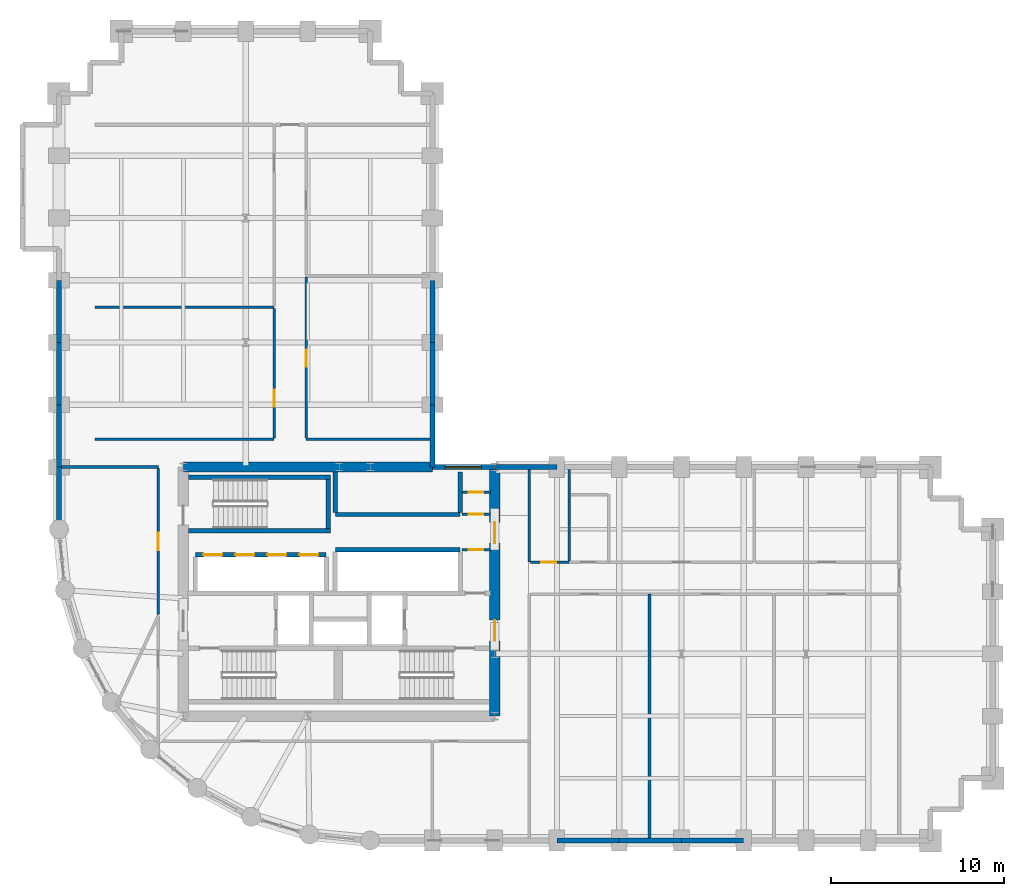
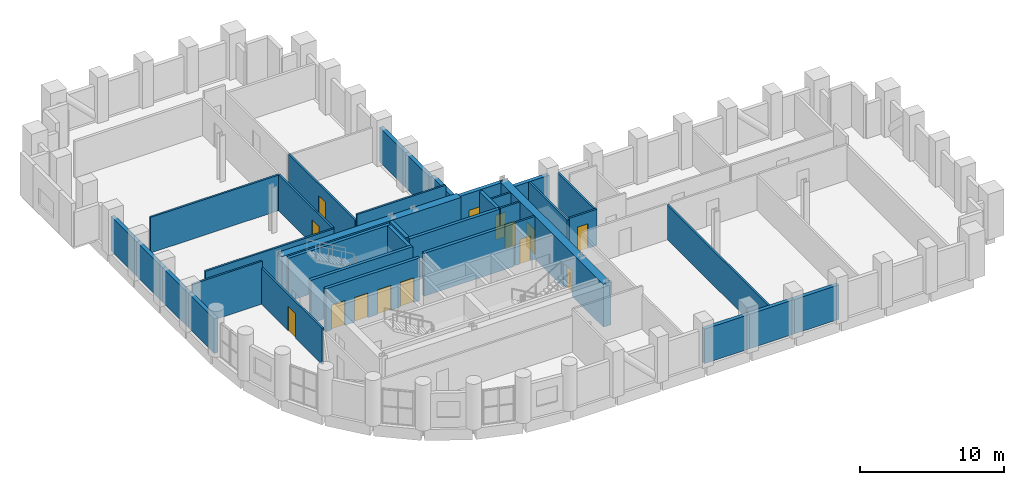
# One storey, part 10 of 13: 36 walls, 13 doors, 1 window, 14 openings.
"""IFC4 building model written with IfcOpenShell, lengths in metres."""

from ifc_helpers import new_model, si_unit, direction, frame, frame_2d, origin, place, context, subcontext, project, spatial, rectangle, extrude, material, layer, layer_set, type_object, element, fill, save


model = new_model("IFC4")

# Units and contexts
model_context = context("Model", 3, precision=1e-05, world=origin(), true_north=direction((0.0, 1.0)))
body_context = subcontext(model_context, "Body", "Model", "MODEL_VIEW")
ifc_project = project(units=[si_unit("LENGTHUNIT", "METRE"), si_unit("AREAUNIT", "SQUARE_METRE"), si_unit("VOLUMEUNIT", "CUBIC_METRE"), si_unit("PLANEANGLEUNIT", "RADIAN"), si_unit("MASSUNIT", "GRAM", prefix="KILO")], contexts=[model_context])

# Site, building, storey
site_placement = place(None, origin())
site = spatial("IfcSite", under=ifc_project, at=site_placement, CompositionType="ELEMENT")
building_placement = place(site_placement, origin())
building = spatial("IfcBuilding", under=site, at=building_placement, Name="Solnavia Interchange Tower", CompositionType="ELEMENT")
storey_placement = place(building_placement, frame((0.0, 0.0, 51.300048828125)))
storey = spatial("IfcBuildingStorey", under=building, at=storey_placement, Name="L12", CompositionType="ELEMENT", Elevation=51.300048828125)

# Walls
ifc_material_1 = material(Name="Concrete C40/50", Category="concrete")
ifc_layer_1 = layer(ifc_material_1, 0.300048828125)
ifc_layer_set_1 = layer_set([ifc_layer_1], Name="Concrete C40/50")
wall_type_1 = type_object("IfcWallType", Name="Wall-ExtSpandrel-300", PredefinedType="STANDARD", material=ifc_layer_set_1)
wall_1_placement = place(storey_placement, frame((39.60009765625, 3.60009765625, 0.0), z_axis=(0.0, 0.0, 1.0), x_axis=(-1.0, 0.0, 0.0)))
element("IfcWall", 1, at=wall_1_placement, inside=storey, type_object=wall_type_1, Name="EXW-L12-04 Exterior precast spandrel wall", PredefinedType="STANDARD", context=body_context, shape_type="SweptSolid", body=[
    extrude(rectangle(XDim=3.60009765625, YDim=0.300048828125, at=frame_2d((1.800048828125, 0.0))), origin(), (0.0, 0.0, 1.0), 2.929931640625),
])
wall_2_placement = place(storey_placement, frame((43.199951171875, 3.60009765625, 0.0), z_axis=(0.0, 0.0, 1.0), x_axis=(-1.0, 0.0, 0.0)))
element("IfcWall", 2, at=wall_2_placement, inside=storey, type_object=wall_type_1, Name="EXW-L12-05 Exterior precast spandrel wall", PredefinedType="STANDARD", context=body_context, shape_type="SweptSolid", body=[
    extrude(rectangle(XDim=3.599853515625, YDim=0.300048828125, at=frame_2d((1.7998046875, 0.0))), origin(), (0.0, 0.0, 1.0), 2.929931640625),
])
for number, where, z_axis, x_axis, name in (
    (3, (46.800048828125, 3.60009765625, 0.0), (0.0, 0.0, 1.0), (-1.0, 0.0, 0.0), "EXW-L12-06 Exterior precast spandrel wall"),
    (4, (32.39990234375, 25.199951171875, 0.0), (0.0, 0.0, 1.0), (1.0, 0.0, 0.0), "EXW-L12-28 Exterior precast spandrel wall"),
):
    element("IfcWall", number, at=place(storey_placement, frame(where, z_axis=z_axis, x_axis=x_axis)), inside=storey, type_object=wall_type_1, Name=name, PredefinedType="STANDARD", context=body_context, shape_type="SweptSolid", body=[
        extrude(rectangle(XDim=3.60009765625, YDim=0.300048828125, at=frame_2d((1.800048828125, 0.0))), origin(), (0.0, 0.0, 1.0), 2.929931640625),
    ])

# Wall, opening, window
wall_3_placement = place(storey_placement, frame((28.800048828125, 25.199951171875, 0.0), z_axis=(0.0, 0.0, 1.0), x_axis=(1.0, 0.0, 0.0)))
wall_3 = element("IfcWall", 5, at=wall_3_placement, inside=storey, type_object=wall_type_1, Name="EXW-L12-29 Exterior precast spandrel wall", PredefinedType="STANDARD", context=body_context, shape_type="SweptSolid", body=[
    extrude(rectangle(XDim=3.599853515625, YDim=0.300048828125, at=frame_2d((1.7998046875, 0.0))), origin(), (0.0, 0.0, 1.0), 3.635009765625),
])
opening_1_placement = place(wall_3_placement, frame((0.72802734375, 0.0, 0.85009765625)))
opening_1 = element("IfcOpeningElement", 6, at=opening_1_placement, cuts=wall_3, Name="Opening WIN-01", PredefinedType="OPENING", context=body_context, shape_type="SweptSolid", body=[
    extrude(rectangle(XDim=2.10009765625, YDim=1.35009765625, at=frame_2d((1.050048828125, 0.675048828125))), frame((0.0, 0.16015625, 0.0), z_axis=(0.0, -1.0, 0.0), x_axis=(1.0, 0.0, 0.0)), (0.0, 0.0, 1.0), 0.320068359375),
])
ifc_material_2 = material(Name="Thermal-Break Aluminium & Low-E Glass", Category="aluminium")
window_type = type_object("IfcWindowType", Name="Window-Ribbon-2100x1350", PartitioningType="SINGLE_PANEL", PredefinedType="WINDOW", material=ifc_material_2)
window_placement = place(opening_1_placement, origin())
window = element("IfcWindow", 7, at=window_placement, inside=storey, type_object=window_type, Name="WIN-L12-29 Facade ribbon window", OverallHeight=1.35009765625, OverallWidth=2.10009765625, PartitioningType="SINGLE_PANEL", PredefinedType="WINDOW", context=body_context, shape_type="SweptSolid", body=[
    extrude(rectangle(XDim=2.10009765625, YDim=1.35009765625, at=frame_2d((1.050048828125, 0.675048828125))), frame((0.0, 0.030029296875, 0.0), z_axis=(0.0, -1.0, 0.0), x_axis=(1.0, 0.0, 0.0)), (0.0, 0.0, 1.0), 0.06005859375),
])
fill(opening_1, window)

# Walls
wall_4_placement = place(storey_placement, frame((28.800048828125, 25.199951171875, 0.0), z_axis=(0.0, 0.0, 1.0), x_axis=(0.0, 1.0, 0.0)))
element("IfcWall", 8, at=wall_4_placement, inside=storey, type_object=wall_type_1, Name="EXW-L12-30 Exterior precast spandrel wall", PredefinedType="STANDARD", context=body_context, shape_type="SweptSolid", body=[
    extrude(rectangle(XDim=3.60009765625, YDim=0.300048828125, at=frame_2d((1.800048828125, 0.0))), origin(), (0.0, 0.0, 1.0), 3.139892578125),
])
wall_5_placement = place(storey_placement, frame((28.800048828125, 28.800048828125, 0.0), z_axis=(0.0, 0.0, 1.0), x_axis=(0.0, 1.0, 0.0)))
element("IfcWall", 9, at=wall_5_placement, inside=storey, type_object=wall_type_1, Name="EXW-L12-31 Exterior precast spandrel wall", PredefinedType="STANDARD", context=body_context, shape_type="SweptSolid", body=[
    extrude(rectangle(XDim=3.599853515625, YDim=0.300048828125, at=frame_2d((1.7998046875, 0.0))), origin(), (0.0, 0.0, 1.0), 2.929931640625),
])
for number, where, z_axis, x_axis, name in (
    (10, (28.800048828125, 32.39990234375, 0.0), (0.0, 0.0, 1.0), (0.0, 1.0, 0.0), "EXW-L12-32 Exterior precast spandrel wall"),
    (11, (7.199951171875, 32.39990234375, 0.0), (0.0, 0.0, 1.0), (0.0, 1.0, 0.0), "EXW-L12-55 Exterior precast spandrel wall"),
):
    element("IfcWall", number, at=place(storey_placement, frame(where, z_axis=z_axis, x_axis=x_axis)), inside=storey, type_object=wall_type_1, Name=name, PredefinedType="STANDARD", context=body_context, shape_type="SweptSolid", body=[
        extrude(rectangle(XDim=3.60009765625, YDim=0.300048828125, at=frame_2d((1.800048828125, 0.0))), origin(), (0.0, 0.0, 1.0), 2.929931640625),
    ])
wall_6_placement = place(storey_placement, frame((7.199951171875, 28.800048828125, 0.0), z_axis=(0.0, 0.0, 1.0), x_axis=(0.0, 1.0, 0.0)))
element("IfcWall", 12, at=wall_6_placement, inside=storey, type_object=wall_type_1, Name="EXW-L12-56 Exterior precast spandrel wall", PredefinedType="STANDARD", context=body_context, shape_type="SweptSolid", body=[
    extrude(rectangle(XDim=3.599853515625, YDim=0.300048828125, at=frame_2d((1.7998046875, 0.0))), origin(), (0.0, 0.0, 1.0), 2.929931640625),
])
wall_7_placement = place(storey_placement, frame((7.199951171875, 25.199951171875, 0.0), z_axis=(0.0, 0.0, 1.0), x_axis=(0.0, 1.0, 0.0)))
element("IfcWall", 13, at=wall_7_placement, inside=storey, type_object=wall_type_1, Name="EXW-L12-57 Exterior precast spandrel wall", PredefinedType="STANDARD", context=body_context, shape_type="SweptSolid", body=[
    extrude(rectangle(XDim=3.60009765625, YDim=0.300048828125, at=frame_2d((1.800048828125, 0.0))), origin(), (0.0, 0.0, 1.0), 2.929931640625),
])
wall_8_placement = place(storey_placement, frame((7.199951171875, 21.60009765625, 0.0), z_axis=(0.0, 0.0, 1.0), x_axis=(0.0, 1.0, 0.0)))
element("IfcWall", 14, at=wall_8_placement, inside=storey, type_object=wall_type_1, Name="EXW-L12-58 Exterior precast spandrel wall", PredefinedType="STANDARD", context=body_context, shape_type="SweptSolid", body=[
    extrude(rectangle(XDim=3.599853515625, YDim=0.300048828125, at=frame_2d((1.7998046875, 0.0))), origin(), (0.0, 0.0, 1.0), 2.929931640625),
])

# Wall, opening, door
ifc_material_3 = material(Name="Gypsum Plasterboard & Steel Stud", Category="steel")
ifc_layer_2 = layer(ifc_material_3, 0.14990234375)
ifc_layer_set_2 = layer_set([ifc_layer_2], Name="Gypsum Plasterboard & Steel Stud")
wall_type_2 = type_object("IfcWallType", Name="Wall-Partition-150", PredefinedType="PARTITIONING", material=ifc_layer_set_2)
wall_9_placement = place(storey_placement, frame((30.52001953125, 22.4599609375, 0.0), z_axis=(0.0, 0.0, 1.0), x_axis=(1.0, 0.0, 0.0)))
wall_9 = element("IfcWall", 15, at=wall_9_placement, inside=storey, type_object=wall_type_2, Name="CSW-L12-NE-S Core shaft wall", PredefinedType="PARTITIONING", context=body_context, shape_type="SweptSolid", body=[
    extrude(rectangle(XDim=1.6298828125, YDim=0.14990234375, at=frame_2d((0.81494140625, 0.0))), origin(), (0.0, 0.0, 1.0), 3.635009765625),
])
opening_2_placement = place(wall_9_placement, frame((0.3798828125, 0.0, 0.0)))
opening_2 = element("IfcOpeningElement", 16, at=opening_2_placement, cuts=wall_9, Name="Opening DR-10", PredefinedType="OPENING", context=body_context, shape_type="SweptSolid", body=[
    extrude(rectangle(XDim=0.85009765625, YDim=2.10009765625, at=frame_2d((0.425048828125, 1.050048828125))), frame((0.0, 0.0849609375, 0.0), z_axis=(0.0, -1.0, 0.0), x_axis=(1.0, 0.0, 0.0)), (0.0, 0.0, 1.0), 0.169921875),
])
ifc_material_4 = material(Name="Moisture-Resistant Timber Door", Category="wood")
door_type_1 = type_object("IfcDoorType", Name="Door-Bathroom-850x2100", OperationType="SINGLE_SWING_RIGHT", PredefinedType="DOOR", material=ifc_material_4)
door_1_placement = place(opening_2_placement, origin())
door_1 = element("IfcDoor", 17, at=door_1_placement, inside=storey, type_object=door_type_1, Name="DR-L12-CNE1 Core fire door", OperationType="SINGLE_SWING_RIGHT", OverallHeight=2.10009765625, OverallWidth=0.85009765625, PredefinedType="DOOR", context=body_context, shape_type="SweptSolid", body=[
    extrude(rectangle(XDim=0.85009765625, YDim=2.10009765625, at=frame_2d((0.425048828125, 1.050048828125))), frame((0.0, 0.02490234375, 0.0), z_axis=(0.0, -1.0, 0.0), x_axis=(1.0, 0.0, 0.0)), (0.0, 0.0, 1.0), 0.050048828125),
])
fill(opening_2, door_1)

wall_10_placement = place(storey_placement, frame((30.52001953125, 23.75, 0.0), z_axis=(0.0, 0.0, 1.0), x_axis=(1.0, 0.0, 0.0)))
wall_10 = element("IfcWall", 18, at=wall_10_placement, inside=storey, type_object=wall_type_2, Name="CSW-L12-NE-M Core shaft wall", PredefinedType="PARTITIONING", context=body_context, shape_type="SweptSolid", body=[
    extrude(rectangle(XDim=1.6298828125, YDim=0.14990234375, at=frame_2d((0.81494140625, 0.0))), origin(), (0.0, 0.0, 1.0), 3.635009765625),
])
opening_3_placement = place(wall_10_placement, frame((0.3798828125, 0.0, 0.0)))
opening_3 = element("IfcOpeningElement", 19, at=opening_3_placement, cuts=wall_10, Name="Opening DR-10", PredefinedType="OPENING", context=body_context, shape_type="SweptSolid", body=[
    extrude(rectangle(XDim=0.85009765625, YDim=2.10009765625, at=frame_2d((0.425048828125, 1.050048828125))), frame((0.0, 0.0849609375, 0.0), z_axis=(0.0, -1.0, 0.0), x_axis=(1.0, 0.0, 0.0)), (0.0, 0.0, 1.0), 0.169921875),
])
door_2_placement = place(opening_3_placement, origin())
door_2 = element("IfcDoor", 20, at=door_2_placement, inside=storey, type_object=door_type_1, Name="DR-L12-CNE2 Core fire door", OperationType="SINGLE_SWING_LEFT", OverallHeight=2.10009765625, OverallWidth=0.85009765625, PredefinedType="DOOR", context=body_context, shape_type="SweptSolid", body=[
    extrude(rectangle(XDim=0.85009765625, YDim=2.10009765625, at=frame_2d((0.425048828125, 1.050048828125))), frame((0.0, 0.02490234375, 0.0), z_axis=(0.0, -1.0, 0.0), x_axis=(1.0, 0.0, 0.0)), (0.0, 0.0, 1.0), 0.050048828125),
])
fill(opening_3, door_2)

wall_11_placement = place(storey_placement, frame((30.52001953125, 20.419921875, 0.0), z_axis=(0.0, 0.0, 1.0), x_axis=(1.0, 0.0, 0.0)))
wall_11 = element("IfcWall", 21, at=wall_11_placement, inside=storey, type_object=wall_type_2, Name="CSW-L12-SE-N Core shaft wall", PredefinedType="PARTITIONING", context=body_context, shape_type="SweptSolid", body=[
    extrude(rectangle(XDim=1.6298828125, YDim=0.14990234375, at=frame_2d((0.81494140625, 0.0))), origin(), (0.0, 0.0, 1.0), 3.635009765625),
])
opening_4_placement = place(wall_11_placement, frame((0.3798828125, 0.0, 0.0)))
opening_4 = element("IfcOpeningElement", 22, at=opening_4_placement, cuts=wall_11, Name="Opening DR-10", PredefinedType="OPENING", context=body_context, shape_type="SweptSolid", body=[
    extrude(rectangle(XDim=0.85009765625, YDim=2.10009765625, at=frame_2d((0.425048828125, 1.050048828125))), frame((0.0, 0.0849609375, 0.0), z_axis=(0.0, -1.0, 0.0), x_axis=(1.0, 0.0, 0.0)), (0.0, 0.0, 1.0), 0.169921875),
])
door_3_placement = place(opening_4_placement, origin())
door_3 = element("IfcDoor", 23, at=door_3_placement, inside=storey, type_object=door_type_1, Name="DR-L12-CSE1 Core fire door", OperationType="SINGLE_SWING_LEFT", OverallHeight=2.10009765625, OverallWidth=0.85009765625, PredefinedType="DOOR", context=body_context, shape_type="SweptSolid", body=[
    extrude(rectangle(XDim=0.85009765625, YDim=2.10009765625, at=frame_2d((0.425048828125, 1.050048828125))), frame((0.0, 0.02490234375, 0.0), z_axis=(0.0, -1.0, 0.0), x_axis=(1.0, 0.0, 0.0)), (0.0, 0.0, 1.0), 0.050048828125),
])
fill(opening_4, door_3)

# Wall
wall_12_placement = place(storey_placement, frame((7.35400390625, 25.199951171875, 0.0), z_axis=(0.0, 0.0, 1.0), x_axis=(1.0, 0.0, 0.0)))
element("IfcWall", 24, at=wall_12_placement, inside=storey, type_object=wall_type_2, Name="PTW-L12-07 Interior partition wall", PredefinedType="PARTITIONING", context=body_context, shape_type="SweptSolid", body=[
    extrude(rectangle(XDim=5.595947265625, YDim=0.14990234375, at=frame_2d((2.7978515625, 0.0))), origin(), (0.0, 0.0, 1.0), 3.635009765625),
])

# Wall, opening, door
wall_13_placement = place(storey_placement, frame((12.949951171875, 16.678955078125, 0.0), z_axis=(0.0, 0.0, 1.0), x_axis=(0.0, 1.0, 0.0)))
wall_13 = element("IfcWall", 25, at=wall_13_placement, inside=storey, type_object=wall_type_2, Name="PTW-L12-11 Interior partition wall", PredefinedType="PARTITIONING", context=body_context, shape_type="SweptSolid", body=[
    extrude(rectangle(XDim=8.442138671875, YDim=0.14990234375, at=frame_2d((4.22119140625, 0.0))), origin(), (0.0, 0.0, 1.0), 3.079833984375),
])
opening_5_placement = place(wall_13_placement, frame((3.720947265625, 0.0, 0.0)))
opening_5 = element("IfcOpeningElement", 26, at=opening_5_placement, cuts=wall_13, Name="Opening DR-07", PredefinedType="OPENING", context=body_context, shape_type="SweptSolid", body=[
    extrude(rectangle(XDim=1.0, YDim=2.10009765625, at=frame_2d((0.5, 1.050048828125))), frame((0.0, 0.0849609375, 0.0), z_axis=(0.0, -1.0, 0.0), x_axis=(1.0, 0.0, 0.0)), (0.0, 0.0, 1.0), 0.169921875),
])
ifc_material_5 = material(Name="Timber & Acoustic Glazed Office Door", Category="wood")
door_type_2 = type_object("IfcDoorType", Name="Door-Office-1000x2100", OperationType="SINGLE_SWING_RIGHT", PredefinedType="DOOR", material=ifc_material_5)
door_4_placement = place(opening_5_placement, origin())
door_4 = element("IfcDoor", 27, at=door_4_placement, inside=storey, type_object=door_type_2, Name="DR-L12-03 Interior room door", OperationType="SINGLE_SWING_LEFT", OverallHeight=2.10009765625, OverallWidth=1.0, PredefinedType="DOOR", context=body_context, shape_type="SweptSolid", body=[
    extrude(rectangle(XDim=1.0, YDim=2.10009765625, at=frame_2d((0.5, 1.050048828125))), frame((0.0, 0.02490234375, 0.0), z_axis=(0.0, -1.0, 0.0), x_axis=(1.0, 0.0, 0.0)), (0.0, 0.0, 1.0), 0.050048828125),
])
fill(opening_5, door_4)

# Walls
wall_14_placement = place(storey_placement, frame((41.35009765625, 3.75390625, 0.0), z_axis=(0.0, 0.0, 1.0), x_axis=(0.0, 1.0, 0.0)))
element("IfcWall", 28, at=wall_14_placement, inside=storey, type_object=wall_type_2, Name="PTW-L12-16 Interior partition wall", PredefinedType="PARTITIONING", context=body_context, shape_type="SweptSolid", body=[
    extrude(rectangle(XDim=14.09619140625, YDim=0.14990234375, at=frame_2d((7.048095703125, 0.0))), origin(), (0.0, 0.0, 1.0), 2.929931640625),
])
wall_15_placement = place(storey_placement, frame((9.300048828125, 26.800048828125, 0.0), z_axis=(0.0, 0.0, 1.0), x_axis=(1.0, 0.0, 0.0)))
element("IfcWall", 29, at=wall_15_placement, inside=storey, type_object=wall_type_2, Name="PTW-L12-27 Interior partition wall", PredefinedType="PARTITIONING", context=body_context, shape_type="SweptSolid", body=[
    extrude(rectangle(XDim=10.349853515625, YDim=0.14990234375, at=frame_2d((5.1748046875, 0.0))), origin(), (0.0, 0.0, 1.0), 3.079833984375),
])
wall_16_placement = place(storey_placement, frame((9.300048828125, 34.43994140625, 0.0), z_axis=(0.0, 0.0, 1.0), x_axis=(1.0, 0.0, 0.0)))
element("IfcWall", 30, at=wall_16_placement, inside=storey, type_object=wall_type_2, Name="PTW-L12-28 Interior partition wall", PredefinedType="PARTITIONING", context=body_context, shape_type="SweptSolid", body=[
    extrude(rectangle(XDim=10.349853515625, YDim=0.14990234375, at=frame_2d((5.1748046875, 0.0))), origin(), (0.0, 0.0, 1.0), 3.030029296875),
])

# Wall, opening, door
wall_17_placement = place(storey_placement, frame((19.64990234375, 26.87890625, 0.0), z_axis=(0.0, 0.0, 1.0), x_axis=(0.0, 1.0, 0.0)))
wall_17 = element("IfcWall", 31, at=wall_17_placement, inside=storey, type_object=wall_type_2, Name="PTW-L12-29 Interior partition wall", PredefinedType="PARTITIONING", context=body_context, shape_type="SweptSolid", body=[
    extrude(rectangle(XDim=7.482177734375, YDim=0.14990234375, at=frame_2d((3.7412109375, 0.0))), origin(), (0.0, 0.0, 1.0), 3.079833984375),
])
opening_6_placement = place(wall_17_placement, frame((1.801025390625, 0.0, 0.0)))
opening_6 = element("IfcOpeningElement", 32, at=opening_6_placement, cuts=wall_17, Name="Opening DR-07", PredefinedType="OPENING", context=body_context, shape_type="SweptSolid", body=[
    extrude(rectangle(XDim=1.0, YDim=2.10009765625, at=frame_2d((0.5, 1.050048828125))), frame((0.0, 0.0849609375, 0.0), z_axis=(0.0, -1.0, 0.0), x_axis=(1.0, 0.0, 0.0)), (0.0, 0.0, 1.0), 0.169921875),
])
door_5_placement = place(opening_6_placement, origin())
door_5 = element("IfcDoor", 33, at=door_5_placement, inside=storey, type_object=door_type_2, Name="DR-L12-13 Interior room door", OperationType="SINGLE_SWING_RIGHT", OverallHeight=2.10009765625, OverallWidth=1.0, PredefinedType="DOOR", context=body_context, shape_type="SweptSolid", body=[
    extrude(rectangle(XDim=1.0, YDim=2.10009765625, at=frame_2d((0.5, 1.050048828125))), frame((0.0, 0.02490234375, 0.0), z_axis=(0.0, -1.0, 0.0), x_axis=(1.0, 0.0, 0.0)), (0.0, 0.0, 1.0), 0.050048828125),
])
fill(opening_6, door_5)

# Wall
wall_18_placement = place(storey_placement, frame((21.5, 26.800048828125, 0.0), z_axis=(0.0, 0.0, 1.0), x_axis=(1.0, 0.0, 0.0)))
element("IfcWall", 34, at=wall_18_placement, inside=storey, type_object=wall_type_2, Name="PTW-L12-31 Interior partition wall", PredefinedType="PARTITIONING", context=body_context, shape_type="SweptSolid", body=[
    extrude(rectangle(XDim=7.14599609375, YDim=0.14990234375, at=frame_2d((3.572998046875, 0.0))), origin(), (0.0, 0.0, 1.0), 3.635009765625),
])

# Wall, opening, door
wall_19_placement = place(storey_placement, frame((21.5, 26.87890625, 0.0), z_axis=(0.0, 0.0, 1.0), x_axis=(0.0, 1.0, 0.0)))
wall_19 = element("IfcWall", 35, at=wall_19_placement, inside=storey, type_object=wall_type_2, Name="PTW-L12-33 Interior partition wall", PredefinedType="PARTITIONING", context=body_context, shape_type="SweptSolid", body=[
    extrude(rectangle(XDim=9.302001953125, YDim=0.14990234375, at=frame_2d((4.65087890625, 0.0))), origin(), (0.0, 0.0, 1.0), 3.079833984375),
])
opening_7_placement = place(wall_19_placement, frame((4.111083984375, 0.0, 0.0)))
opening_7 = element("IfcOpeningElement", 36, at=opening_7_placement, cuts=wall_19, Name="Opening DR-07", PredefinedType="OPENING", context=body_context, shape_type="SweptSolid", body=[
    extrude(rectangle(XDim=1.0, YDim=2.10009765625, at=frame_2d((0.5, 1.050048828125))), frame((0.0, 0.0849609375, 0.0), z_axis=(0.0, -1.0, 0.0), x_axis=(1.0, 0.0, 0.0)), (0.0, 0.0, 1.0), 0.169921875),
])
door_6_placement = place(opening_7_placement, origin())
door_6 = element("IfcDoor", 37, at=door_6_placement, inside=storey, type_object=door_type_2, Name="DR-L12-15 Interior room door", OperationType="SINGLE_SWING_LEFT", OverallHeight=2.10009765625, OverallWidth=1.0, PredefinedType="DOOR", context=body_context, shape_type="SweptSolid", body=[
    extrude(rectangle(XDim=1.0, YDim=2.10009765625, at=frame_2d((0.5, 1.050048828125))), frame((0.0, 0.02490234375, 0.0), z_axis=(0.0, -1.0, 0.0), x_axis=(1.0, 0.0, 0.0)), (0.0, 0.0, 1.0), 0.050048828125),
])
fill(opening_7, door_6)

# Walls
ifc_layer_3 = layer(ifc_material_1, 0.25)
ifc_layer_set_3 = layer_set([ifc_layer_3], Name="Concrete C40/50")
wall_type_3 = type_object("IfcWallType", Name="Wall-ShaftCore-250", PredefinedType="SHEAR", material=ifc_layer_set_3)
for number, where, z_axis, x_axis, name in (
    (38, (14.699951171875, 21.52490234375, 0.0), (0.0, 0.0, 1.0), (1.0, 0.0, 0.0), "SHW-L12-ST3S Core shear wall"),
    (39, (14.699951171875, 24.614990234375, 0.0), (0.0, 0.0, 1.0), (1.0, 0.0, 0.0), "SHW-L12-ST3N Core shear wall"),
):
    element("IfcWall", number, at=place(storey_placement, frame(where, z_axis=z_axis, x_axis=x_axis)), inside=storey, type_object=wall_type_3, Name=name, PredefinedType="SHEAR", context=body_context, shape_type="SweptSolid", body=[
        extrude(rectangle(XDim=8.199951171875, YDim=0.25, at=frame_2d((4.10009765625, 0.0))), origin(), (0.0, 0.0, 1.0), 3.64990234375),
    ])
wall_20_placement = place(storey_placement, frame((22.77490234375, 21.64990234375, 0.0), z_axis=(0.0, 0.0, 1.0), x_axis=(0.0, 1.0, 0.0)))
element("IfcWall", 40, at=wall_20_placement, inside=storey, type_object=wall_type_3, Name="SHW-L12-ST3E Core shear wall", PredefinedType="SHEAR", context=body_context, shape_type="SweptSolid", body=[
    extrude(rectangle(XDim=2.840087890625, YDim=0.25, at=frame_2d((1.419921875, 0.0))), origin(), (0.0, 0.0, 1.0), 3.64990234375),
])

# Wall, openings, doors
ifc_layer_4 = layer(ifc_material_1, 0.25)
ifc_layer_set_4 = layer_set([ifc_layer_4], Name="Concrete C40/50")
wall_type_4 = type_object("IfcWallType", Name="Wall-ShaftPart-250", PredefinedType="PARTITIONING", material=ifc_layer_set_4)
wall_21_placement = place(storey_placement, frame((15.10009765625, 20.125, 0.0), z_axis=(0.0, 0.0, 1.0), x_axis=(1.0, 0.0, 0.0)))
wall_21 = element("IfcWall", 41, at=wall_21_placement, inside=storey, type_object=wall_type_4, Name="SHW-L12-B1N Core shaft wall", PredefinedType="PARTITIONING", context=body_context, shape_type="SweptSolid", body=[
    extrude(rectangle(XDim=7.5498046875, YDim=0.25, at=frame_2d((3.77490234375, 0.0))), origin(), (0.0, 0.0, 1.0), 3.635009765625),
])
opening_8_placement = place(wall_21_placement, frame((0.449951171875, 0.0, 0.0)))
opening_8 = element("IfcOpeningElement", 42, at=opening_8_placement, cuts=wall_21, Name="Opening LD-01", PredefinedType="OPENING", context=body_context, shape_type="SweptSolid", body=[
    extrude(rectangle(XDim=1.10009765625, YDim=2.10009765625, at=frame_2d((0.550048828125, 1.050048828125))), frame((0.0, 0.135009765625, 0.0), z_axis=(0.0, -1.0, 0.0), x_axis=(1.0, 0.0, 0.0)), (0.0, 0.0, 1.0), 0.27001953125),
])
opening_9_placement = place(wall_21_placement, frame((2.300048828125, 0.0, 0.0)))
opening_9 = element("IfcOpeningElement", 43, at=opening_9_placement, cuts=wall_21, Name="Opening LD-01", PredefinedType="OPENING", context=body_context, shape_type="SweptSolid", body=[
    extrude(rectangle(XDim=1.10009765625, YDim=2.10009765625, at=frame_2d((0.550048828125, 1.050048828125))), frame((0.0, 0.135009765625, 0.0), z_axis=(0.0, -1.0, 0.0), x_axis=(1.0, 0.0, 0.0)), (0.0, 0.0, 1.0), 0.27001953125),
])
opening_10_placement = place(wall_21_placement, frame((4.14990234375, 0.0, 0.0)))
opening_10 = element("IfcOpeningElement", 44, at=opening_10_placement, cuts=wall_21, Name="Opening LD-01", PredefinedType="OPENING", context=body_context, shape_type="SweptSolid", body=[
    extrude(rectangle(XDim=1.10009765625, YDim=2.10009765625, at=frame_2d((0.550048828125, 1.050048828125))), frame((0.0, 0.135009765625, 0.0), z_axis=(0.0, -1.0, 0.0), x_axis=(1.0, 0.0, 0.0)), (0.0, 0.0, 1.0), 0.27001953125),
])
opening_11_placement = place(wall_21_placement, frame((6.0, 0.0, 0.0)))
opening_11 = element("IfcOpeningElement", 45, at=opening_11_placement, cuts=wall_21, Name="Opening LD-01", PredefinedType="OPENING", context=body_context, shape_type="SweptSolid", body=[
    extrude(rectangle(XDim=1.10009765625, YDim=2.10009765625, at=frame_2d((0.550048828125, 1.050048828125))), frame((0.0, 0.135009765625, 0.0), z_axis=(0.0, -1.0, 0.0), x_axis=(1.0, 0.0, 0.0)), (0.0, 0.0, 1.0), 0.27001953125),
])
ifc_material_6 = material(Name="Brushed Stainless Steel Sliding Door", Category="steel")
door_type_3 = type_object("IfcDoorType", Name="Door-LiftLanding-1100x2100", OperationType="SLIDING_TO_LEFT", PredefinedType="DOOR", material=ifc_material_6)
door_7_placement = place(opening_8_placement, origin())
door_7 = element("IfcDoor", 46, at=door_7_placement, inside=storey, type_object=door_type_3, Name="LD-L12-B1-1 Lift landing sliding door", OperationType="SLIDING_TO_LEFT", OverallHeight=2.10009765625, OverallWidth=1.10009765625, PredefinedType="DOOR", context=body_context, shape_type="SweptSolid", body=[
    extrude(rectangle(XDim=1.10009765625, YDim=2.10009765625, at=frame_2d((0.550048828125, 1.050048828125))), frame((0.0, 0.02490234375, 0.0), z_axis=(0.0, -1.0, 0.0), x_axis=(1.0, 0.0, 0.0)), (0.0, 0.0, 1.0), 0.050048828125),
])
fill(opening_8, door_7)
door_8_placement = place(opening_9_placement, origin())
door_8 = element("IfcDoor", 47, at=door_8_placement, inside=storey, type_object=door_type_3, Name="LD-L12-B1-2 Lift landing sliding door", OperationType="SLIDING_TO_LEFT", OverallHeight=2.10009765625, OverallWidth=1.10009765625, PredefinedType="DOOR", context=body_context, shape_type="SweptSolid", body=[
    extrude(rectangle(XDim=1.10009765625, YDim=2.10009765625, at=frame_2d((0.550048828125, 1.050048828125))), frame((0.0, 0.02490234375, 0.0), z_axis=(0.0, -1.0, 0.0), x_axis=(1.0, 0.0, 0.0)), (0.0, 0.0, 1.0), 0.050048828125),
])
fill(opening_9, door_8)
door_9_placement = place(opening_10_placement, origin())
door_9 = element("IfcDoor", 48, at=door_9_placement, inside=storey, type_object=door_type_3, Name="LD-L12-B1-3 Lift landing sliding door", OperationType="SLIDING_TO_LEFT", OverallHeight=2.10009765625, OverallWidth=1.10009765625, PredefinedType="DOOR", context=body_context, shape_type="SweptSolid", body=[
    extrude(rectangle(XDim=1.10009765625, YDim=2.10009765625, at=frame_2d((0.550048828125, 1.050048828125))), frame((0.0, 0.02490234375, 0.0), z_axis=(0.0, -1.0, 0.0), x_axis=(1.0, 0.0, 0.0)), (0.0, 0.0, 1.0), 0.050048828125),
])
fill(opening_10, door_9)
door_10_placement = place(opening_11_placement, origin())
door_10 = element("IfcDoor", 49, at=door_10_placement, inside=storey, type_object=door_type_3, Name="LD-L12-B1-4 Lift landing sliding door", OperationType="SLIDING_TO_LEFT", OverallHeight=2.10009765625, OverallWidth=1.10009765625, PredefinedType="DOOR", context=body_context, shape_type="SweptSolid", body=[
    extrude(rectangle(XDim=1.10009765625, YDim=2.10009765625, at=frame_2d((0.550048828125, 1.050048828125))), frame((0.0, 0.02490234375, 0.0), z_axis=(0.0, -1.0, 0.0), x_axis=(1.0, 0.0, 0.0)), (0.0, 0.0, 1.0), 0.050048828125),
])
fill(opening_11, door_10)

# Walls
for number, where, z_axis, x_axis, name in (
    (50, (23.179931640625, 20.419921875, 0.0), (0.0, 0.0, 1.0), (1.0, 0.0, 0.0), "SHW-L12-B2N Core shaft wall"),
    (51, (23.179931640625, 22.4599609375, 0.0), (0.0, 0.0, 1.0), (1.0, 0.0, 0.0), "SHW-L12-B3S Core shaft wall"),
):
    element("IfcWall", number, at=place(storey_placement, frame(where, z_axis=z_axis, x_axis=x_axis)), inside=storey, type_object=wall_type_4, Name=name, PredefinedType="PARTITIONING", context=body_context, shape_type="SweptSolid", body=[
        extrude(rectangle(XDim=7.219970703125, YDim=0.25, at=frame_2d((3.60986328125, 0.0))), origin(), (0.0, 0.0, 1.0), 3.635009765625),
    ])
for number, where, z_axis, x_axis, name in (
    (52, (23.179931640625, 22.5849609375, 0.0), (0.0, 0.0, 1.0), (0.0, 1.0, 0.0), "SHW-L12-B3W Core shaft wall"),
    (53, (30.39990234375, 22.5849609375, 0.0), (0.0, 0.0, 1.0), (0.0, 1.0, 0.0), "SHW-L12-B3E Core shaft wall"),
):
    element("IfcWall", number, at=place(storey_placement, frame(where, z_axis=z_axis, x_axis=x_axis)), inside=storey, type_object=wall_type_4, Name=name, PredefinedType="PARTITIONING", context=body_context, shape_type="SweptSolid", body=[
        extrude(rectangle(XDim=2.31494140625, YDim=0.25, at=frame_2d((1.157470703125, 0.0))), origin(), (0.0, 0.0, 1.0), 3.635009765625),
    ])
ifc_material_7 = material(Name="Concrete C60/75", Category="concrete")
ifc_layer_5 = layer(ifc_material_7, 0.60009765625)
ifc_layer_set_5 = layer_set([ifc_layer_5], Name="Concrete C60/75")
wall_type_5 = type_object("IfcWallType", Name="Wall-ShearCore-600", PredefinedType="SHEAR", material=ifc_layer_set_5)
wall_22_placement = place(storey_placement, frame((14.39990234375, 25.199951171875, 0.0), z_axis=(0.0, 0.0, 1.0), x_axis=(1.0, 0.0, 0.0)))
element("IfcWall", 54, at=wall_22_placement, inside=storey, type_object=wall_type_5, Name="CRW-L12-N Core shear wall", PredefinedType="SHEAR", context=body_context, shape_type="SweptSolid", body=[
    extrude(rectangle(XDim=14.400146484375, YDim=0.60009765625, at=frame_2d((7.2001953125, 0.0))), origin(), (0.0, 0.0, 1.0), 3.64990234375),
])

# Wall, openings, doors
wall_23_placement = place(storey_placement, frame((32.39990234375, 10.800048828125, 0.0), z_axis=(0.0, 0.0, 1.0), x_axis=(0.0, 1.0, 0.0)))
wall_23 = element("IfcWall", 55, at=wall_23_placement, inside=storey, type_object=wall_type_5, Name="CRW-L12-E Core shear wall", PredefinedType="SHEAR", context=body_context, shape_type="SweptSolid", body=[
    extrude(rectangle(XDim=14.39990234375, YDim=0.60009765625, at=frame_2d((7.199951171875, 0.0))), origin(), (0.0, 0.0, 1.0), 3.64990234375),
])
opening_12_placement = place(wall_23_placement, frame((4.35009765625, 0.0, 0.0)))
opening_12 = element("IfcOpeningElement", 56, at=opening_12_placement, cuts=wall_23, Name="Opening DR-02", PredefinedType="OPENING", context=body_context, shape_type="SweptSolid", body=[
    extrude(rectangle(XDim=1.199951171875, YDim=2.10009765625, at=frame_2d((0.60009765625, 1.050048828125))), frame((0.0, 0.31005859375, 0.0), z_axis=(0.0, -1.0, 0.0), x_axis=(1.0, 0.0, 0.0)), (0.0, 0.0, 1.0), 0.6201171875),
])
opening_13_placement = place(wall_23_placement, frame((10.0, 0.0, 0.0)))
opening_13 = element("IfcOpeningElement", 57, at=opening_13_placement, cuts=wall_23, Name="Opening DR-02", PredefinedType="OPENING", context=body_context, shape_type="SweptSolid", body=[
    extrude(rectangle(XDim=1.199951171875, YDim=2.10009765625, at=frame_2d((0.60009765625, 1.050048828125))), frame((0.0, 0.31005859375, 0.0), z_axis=(0.0, -1.0, 0.0), x_axis=(1.0, 0.0, 0.0)), (0.0, 0.0, 1.0), 0.6201171875),
])
ifc_material_8 = material(Name="Steel Fire-Rated Vision-Panel Door", Category="steel")
door_type_4 = type_object("IfcDoorType", Name="Door-LobbyFire-1200x2100", OperationType="SINGLE_SWING_RIGHT", PredefinedType="DOOR", material=ifc_material_8)
door_11_placement = place(opening_12_placement, origin())
door_11 = element("IfcDoor", 58, at=door_11_placement, inside=storey, type_object=door_type_4, Name="DR-L12-FFL2E Core fire door", OperationType="SINGLE_SWING_LEFT", OverallHeight=2.10009765625, OverallWidth=1.199951171875, PredefinedType="DOOR", context=body_context, shape_type="SweptSolid", body=[
    extrude(rectangle(XDim=1.199951171875, YDim=2.10009765625, at=frame_2d((0.60009765625, 1.050048828125))), frame((0.0, 0.02490234375, 0.0), z_axis=(0.0, -1.0, 0.0), x_axis=(1.0, 0.0, 0.0)), (0.0, 0.0, 1.0), 0.050048828125),
])
fill(opening_12, door_11)
door_12_placement = place(opening_13_placement, origin())
door_12 = element("IfcDoor", 59, at=door_12_placement, inside=storey, type_object=door_type_4, Name="DR-L12-LLE Core fire door", OperationType="SINGLE_SWING_RIGHT", OverallHeight=2.10009765625, OverallWidth=1.199951171875, PredefinedType="DOOR", context=body_context, shape_type="SweptSolid", body=[
    extrude(rectangle(XDim=1.199951171875, YDim=2.10009765625, at=frame_2d((0.60009765625, 1.050048828125))), frame((0.0, 0.02490234375, 0.0), z_axis=(0.0, -1.0, 0.0), x_axis=(1.0, 0.0, 0.0)), (0.0, 0.0, 1.0), 0.050048828125),
])
fill(opening_13, door_12)

# Wall
ifc_material_9 = material(Name="Moisture-Resistant Gypsum & Steel Stud", Category="steel")
ifc_layer_6 = layer(ifc_material_9, 0.14990234375)
ifc_layer_set_6 = layer_set([ifc_layer_6], Name="Moisture-Resistant Gypsum & Steel Stud")
wall_type_6 = type_object("IfcWallType", Name="Wall-WetRoom-150", PredefinedType="PARTITIONING", material=ifc_layer_set_6)
wall_24_placement = place(storey_placement, frame((34.39990234375, 19.699951171875, 0.0), z_axis=(0.0, 0.0, 1.0), x_axis=(0.0, 1.0, 0.0)))
element("IfcWall", 60, at=wall_24_placement, inside=storey, type_object=wall_type_6, Name="PTW-L12-01 Interior partition wall", PredefinedType="PARTITIONING", context=body_context, shape_type="SweptSolid", body=[
    extrude(rectangle(XDim=5.345947265625, YDim=0.14990234375, at=frame_2d((2.6728515625, 0.0))), origin(), (0.0, 0.0, 1.0), 2.929931640625),
])

# Wall, opening, door
wall_25_placement = place(storey_placement, frame((34.47900390625, 19.699951171875, 0.0), z_axis=(0.0, 0.0, 1.0), x_axis=(1.0, 0.0, 0.0)))
wall_25 = element("IfcWall", 61, at=wall_25_placement, inside=storey, type_object=wall_type_6, Name="PTW-L12-02 Interior partition wall", PredefinedType="PARTITIONING", context=body_context, shape_type="SweptSolid", body=[
    extrude(rectangle(XDim=2.220947265625, YDim=0.14990234375, at=frame_2d((1.1103515625, 0.0))), origin(), (0.0, 0.0, 1.0), 3.079833984375),
])
opening_14_placement = place(wall_25_placement, frame((0.617919921875, 0.0, 0.0)))
opening_14 = element("IfcOpeningElement", 62, at=opening_14_placement, cuts=wall_25, Name="Opening DR-10", PredefinedType="OPENING", context=body_context, shape_type="SweptSolid", body=[
    extrude(rectangle(XDim=0.85009765625, YDim=2.10009765625, at=frame_2d((0.425048828125, 1.050048828125))), frame((0.0, 0.0849609375, 0.0), z_axis=(0.0, -1.0, 0.0), x_axis=(1.0, 0.0, 0.0)), (0.0, 0.0, 1.0), 0.169921875),
])
door_13_placement = place(opening_14_placement, origin())
door_13 = element("IfcDoor", 63, at=door_13_placement, inside=storey, type_object=door_type_1, Name="DR-L12-01 Interior room door", OperationType="SINGLE_SWING_LEFT", OverallHeight=2.10009765625, OverallWidth=0.85009765625, PredefinedType="DOOR", context=body_context, shape_type="SweptSolid", body=[
    extrude(rectangle(XDim=0.85009765625, YDim=2.10009765625, at=frame_2d((0.425048828125, 1.050048828125))), frame((0.0, 0.02490234375, 0.0), z_axis=(0.0, -1.0, 0.0), x_axis=(1.0, 0.0, 0.0)), (0.0, 0.0, 1.0), 0.050048828125),
])
fill(opening_14, door_13)

# Wall
wall_26_placement = place(storey_placement, frame((36.699951171875, 19.779052734375, 0.0), z_axis=(0.0, 0.0, 1.0), x_axis=(0.0, 1.0, 0.0)))
element("IfcWall", 64, at=wall_26_placement, inside=storey, type_object=wall_type_6, Name="PTW-L12-03 Interior partition wall", PredefinedType="PARTITIONING", context=body_context, shape_type="SweptSolid", body=[
    extrude(rectangle(XDim=5.266845703125, YDim=0.14990234375, at=frame_2d((2.63330078125, 0.0))), origin(), (0.0, 0.0, 1.0), 2.929931640625),
])

save(model, "model.ifc")
